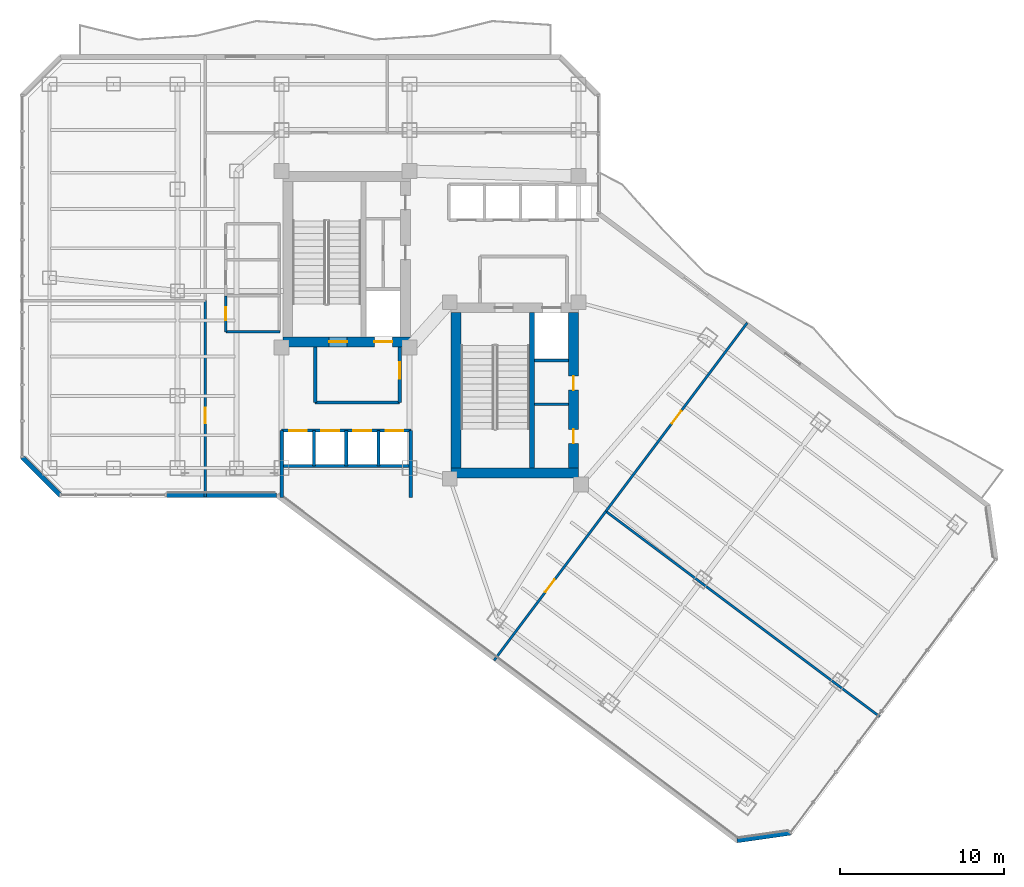
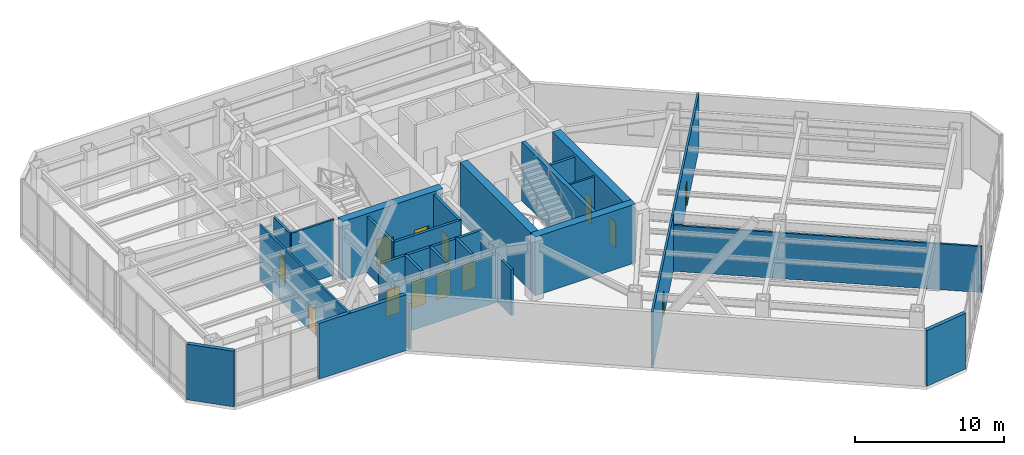
# One storey, part 20 of 27: 26 walls, 13 doors, 13 openings.
"""IFC4 building model written with IfcOpenShell, lengths in metres."""

from ifc_helpers import new_model, si_unit, direction, frame, frame_2d, origin, place, context, subcontext, project, spatial, rectangle, extrude, material, layer, layer_set, type_object, element, fill, save


model = new_model("IFC4")

# Units and contexts
model_context = context("Model", 3, precision=1e-05, world=origin(), true_north=direction((0.0, 1.0)))
body_context = subcontext(model_context, "Body", "Model", "MODEL_VIEW")
ifc_project = project(units=[si_unit("LENGTHUNIT", "METRE"), si_unit("AREAUNIT", "SQUARE_METRE"), si_unit("VOLUMEUNIT", "CUBIC_METRE"), si_unit("PLANEANGLEUNIT", "RADIAN"), si_unit("MASSUNIT", "GRAM", prefix="KILO")], contexts=[model_context])

# Site, building, storey
site_placement = place(None, origin())
site = spatial("IfcSite", under=ifc_project, at=site_placement, CompositionType="ELEMENT")
building_placement = place(site_placement, origin())
building = spatial("IfcBuilding", under=site, at=building_placement, Name="Hatsunagi Terrace Concourse", CompositionType="ELEMENT")
storey_placement = place(building_placement, frame((0.0, 0.0, 96.449951171875)))
storey = spatial("IfcBuildingStorey", under=building, at=storey_placement, Name="L25", CompositionType="ELEMENT", Elevation=96.449951171875)

# Wall, openings, doors
ifc_material_1 = material(Name="Concrete Fc48", Category="concrete")
ifc_layer_1 = layer(ifc_material_1, 0.60009765625)
ifc_layer_set_1 = layer_set([ifc_layer_1], Name="CoreShearWall_Fc48_600")
wall_type_1 = type_object("IfcWallType", Name="CoreShearWall_Fc48_600", PredefinedType="SHEAR", material=ifc_layer_set_1)
wall_1_placement = place(storey_placement, frame((25.6201171875, 32.889892578125, 0.0), z_axis=(0.0, 0.0, 1.0), x_axis=(1.0, 0.0, 0.0)))
wall_1 = element("IfcWall", 1, at=wall_1_placement, inside=storey, type_object=wall_type_1, Name="Core A Shear Wall S L25", PredefinedType="SHEAR", context=body_context, shape_type="SweptSolid", body=[
    extrude(rectangle(XDim=7.77978515625, YDim=0.60009765625, at=frame_2d((3.889892578125, 0.0))), origin(), (0.0, 0.0, 1.0), 4.800048828125),
])
opening_1_placement = place(wall_1_placement, frame((2.830078125, 0.0, 0.0)))
opening_1 = element("IfcOpeningElement", 2, at=opening_1_placement, cuts=wall_1, Name="Opening DR-110S", PredefinedType="OPENING", context=body_context, shape_type="SweptSolid", body=[
    extrude(rectangle(XDim=1.10009765625, YDim=2.199951171875, at=frame_2d((0.550048828125, 1.10009765625))), frame((0.0, 0.31005859375, 0.0), z_axis=(0.0, -1.0, 0.0), x_axis=(1.0, 0.0, 0.0)), (0.0, 0.0, 1.0), 0.6201171875),
])
opening_2_placement = place(wall_1_placement, frame((5.580078125, 0.0, 0.0)))
opening_2 = element("IfcOpeningElement", 3, at=opening_2_placement, cuts=wall_1, Name="Opening LD-01", PredefinedType="OPENING", context=body_context, shape_type="SweptSolid", body=[
    extrude(rectangle(XDim=1.10009765625, YDim=2.14990234375, at=frame_2d((0.550048828125, 1.074951171875))), frame((0.0, 0.31005859375, 0.0), z_axis=(0.0, -1.0, 0.0), x_axis=(1.0, 0.0, 0.0)), (0.0, 0.0, 1.0), 0.6201171875),
])
ifc_material_2 = material(Name="Stainless steel", Category="steel")
door_type_1 = type_object("IfcDoorType", Name="LiftLandingDoor_LD01", OperationType="SLIDING_TO_LEFT", PredefinedType="USERDEFINED", material=ifc_material_2)
door_1_placement = place(opening_2_placement, origin())
door_1 = element("IfcDoor", 4, at=door_1_placement, inside=storey, type_object=door_type_1, Name="Lift landing door FF-01 L25", ObjectType="SLIDING_LANDING_DOOR", OperationType="SLIDING_TO_LEFT", OverallHeight=2.14990234375, OverallWidth=1.10009765625, PredefinedType="USERDEFINED", context=body_context, shape_type="SweptSolid", body=[
    extrude(rectangle(XDim=1.10009765625, YDim=2.14990234375, at=frame_2d((0.550048828125, 1.074951171875))), frame((0.0, 0.02490234375, 0.0), z_axis=(0.0, -1.0, 0.0), x_axis=(1.0, 0.0, 0.0)), (0.0, 0.0, 1.0), 0.050048828125),
])
fill(opening_2, door_1)
ifc_material_3 = material(Name="Painted steel", Category="steel")
door_type_2 = type_object("IfcDoorType", Name="StairFireDoor_EI60_1100", OperationType="NOTDEFINED", PredefinedType="DOOR", material=ifc_material_3)
door_2_placement = place(opening_1_placement, origin())
door_2 = element("IfcDoor", 5, at=door_2_placement, inside=storey, type_object=door_type_2, Name="Stair ST-A Exit Door L25", OperationType="SINGLE_SWING_LEFT", OverallHeight=2.199951171875, OverallWidth=1.10009765625, PredefinedType="DOOR", context=body_context, shape_type="SweptSolid", body=[
    extrude(rectangle(XDim=1.10009765625, YDim=2.199951171875, at=frame_2d((0.550048828125, 1.10009765625))), frame((0.0, 0.02490234375, 0.0), z_axis=(0.0, -1.0, 0.0), x_axis=(1.0, 0.0, 0.0)), (0.0, 0.0, 1.0), 0.050048828125),
])
fill(opening_1, door_2)

# Walls
wall_2_placement = place(storey_placement, frame((35.889892578125, 24.889892578125, 0.0), z_axis=(0.0, 0.0, 1.0), x_axis=(1.0, 0.0, 0.0)))
element("IfcWall", 6, at=wall_2_placement, inside=storey, type_object=wall_type_1, Name="Core B Shear Wall S L25", PredefinedType="SHEAR", context=body_context, shape_type="SweptSolid", body=[
    extrude(rectangle(XDim=7.760009765625, YDim=0.60009765625, at=frame_2d((3.8798828125, 0.0))), origin(), (0.0, 0.0, 1.0), 4.800048828125),
])
wall_3_placement = place(storey_placement, frame((36.18994140625, 25.18994140625, 0.0), z_axis=(0.0, 0.0, 1.0), x_axis=(0.0, 1.0, 0.0)))
element("IfcWall", 7, at=wall_3_placement, inside=storey, type_object=wall_type_1, Name="Core B Shear Wall W L25", PredefinedType="SHEAR", context=body_context, shape_type="SweptSolid", body=[
    extrude(rectangle(XDim=9.47998046875, YDim=0.60009765625, at=frame_2d((4.739990234375, 0.0))), origin(), (0.0, 0.0, 1.0), 4.800048828125),
])

# Wall, openings, doors
wall_4_placement = place(storey_placement, frame((43.35009765625, 25.18994140625, 0.0), z_axis=(0.0, 0.0, 1.0), x_axis=(0.0, 1.0, 0.0)))
wall_4 = element("IfcWall", 8, at=wall_4_placement, inside=storey, type_object=wall_type_1, Name="Core B Shear Wall E L25", PredefinedType="SHEAR", context=body_context, shape_type="SweptSolid", body=[
    extrude(rectangle(XDim=9.47998046875, YDim=0.60009765625, at=frame_2d((4.739990234375, 0.0))), origin(), (0.0, 0.0, 1.0), 4.800048828125),
])
opening_3_placement = place(wall_4_placement, frame((1.510009765625, 0.0, 0.0)))
opening_3 = element("IfcOpeningElement", 9, at=opening_3_placement, cuts=wall_4, Name="Opening DR-085", PredefinedType="OPENING", context=body_context, shape_type="SweptSolid", body=[
    extrude(rectangle(XDim=0.85009765625, YDim=2.080078125, at=frame_2d((0.425048828125, 1.0400390625))), frame((0.0, 0.31005859375, 0.0), z_axis=(0.0, -1.0, 0.0), x_axis=(1.0, 0.0, 0.0)), (0.0, 0.0, 1.0), 0.6201171875),
])
opening_4_placement = place(wall_4_placement, frame((4.760009765625, 0.0, 0.0)))
opening_4 = element("IfcOpeningElement", 10, at=opening_4_placement, cuts=wall_4, Name="Opening DR-085", PredefinedType="OPENING", context=body_context, shape_type="SweptSolid", body=[
    extrude(rectangle(XDim=0.85009765625, YDim=2.080078125, at=frame_2d((0.425048828125, 1.0400390625))), frame((0.0, 0.31005859375, 0.0), z_axis=(0.0, -1.0, 0.0), x_axis=(1.0, 0.0, 0.0)), (0.0, 0.0, 1.0), 0.6201171875),
])
ifc_material_4 = material(Name="Painted steel", Category="steel")
door_type_3 = type_object("IfcDoorType", Name="RiserAccessDoor_EI60_850", OperationType="NOTDEFINED", PredefinedType="DOOR", material=ifc_material_4)
door_3_placement = place(opening_3_placement, origin())
door_3 = element("IfcDoor", 11, at=door_3_placement, inside=storey, type_object=door_type_3, Name="Core B Riser Door L25-1", OperationType="SINGLE_SWING_RIGHT", OverallHeight=2.080078125, OverallWidth=0.85009765625, PredefinedType="DOOR", context=body_context, shape_type="SweptSolid", body=[
    extrude(rectangle(XDim=0.85009765625, YDim=2.080078125, at=frame_2d((0.425048828125, 1.0400390625))), frame((0.0, 0.02490234375, 0.0), z_axis=(0.0, -1.0, 0.0), x_axis=(1.0, 0.0, 0.0)), (0.0, 0.0, 1.0), 0.050048828125),
])
fill(opening_3, door_3)
door_4_placement = place(opening_4_placement, origin())
door_4 = element("IfcDoor", 12, at=door_4_placement, inside=storey, type_object=door_type_3, Name="Core B Riser Door L25-2", OperationType="SINGLE_SWING_RIGHT", OverallHeight=2.080078125, OverallWidth=0.85009765625, PredefinedType="DOOR", context=body_context, shape_type="SweptSolid", body=[
    extrude(rectangle(XDim=0.85009765625, YDim=2.080078125, at=frame_2d((0.425048828125, 1.0400390625))), frame((0.0, 0.02490234375, 0.0), z_axis=(0.0, -1.0, 0.0), x_axis=(1.0, 0.0, 0.0)), (0.0, 0.0, 1.0), 0.050048828125),
])
fill(opening_4, door_4)

# Walls
ifc_material_5 = material(Name="Concrete Fc48", Category="concrete")
ifc_layer_2 = layer(ifc_material_5, 0.300048828125)
ifc_layer_set_2 = layer_set([ifc_layer_2], Name="CoreStairDivider_Fc48_300")
wall_type_2 = type_object("IfcWallType", Name="CoreStairDivider_Fc48_300", PredefinedType="SHEAR", material=ifc_layer_set_2)
wall_5_placement = place(storey_placement, frame((40.81005859375, 25.18994140625, 0.0), z_axis=(0.0, 0.0, 1.0), x_axis=(0.0, 1.0, 0.0)))
element("IfcWall", 13, at=wall_5_placement, inside=storey, type_object=wall_type_2, Name="Core B Shear Wall D L25", PredefinedType="SHEAR", context=body_context, shape_type="SweptSolid", body=[
    extrude(rectangle(XDim=9.47998046875, YDim=0.300048828125, at=frame_2d((4.739990234375, 0.0))), origin(), (0.0, 0.0, 1.0), 4.800048828125),
])
ifc_material_6 = material(Name="Acoustic mineral board", Category="gypsum")
ifc_layer_3 = layer(ifc_material_6, 0.14990234375)
ifc_layer_set_3 = layer_set([ifc_layer_3], Name="PartitionWall_EI60_150")
wall_type_3 = type_object("IfcWallType", Name="PartitionWall_EI60_150", PredefinedType="PARTITIONING", material=ifc_layer_set_3)
wall_6_placement = place(storey_placement, frame((40.969970703125, 29.10009765625, 0.0), z_axis=(0.0, 0.0, 1.0), x_axis=(1.0, 0.0, 0.0)))
element("IfcWall", 14, at=wall_6_placement, inside=storey, type_object=wall_type_3, Name="Interior Partition IW-L25-005", PredefinedType="PARTITIONING", context=body_context, shape_type="SweptSolid", body=[
    extrude(rectangle(XDim=2.080078125, YDim=0.14990234375, at=frame_2d((1.0400390625, 0.0))), origin(), (0.0, 0.0, 1.0), 4.550048828125),
])
wall_7_placement = place(storey_placement, frame((22.14990234375, 33.5, 0.0), z_axis=(0.0, 0.0, 1.0), x_axis=(1.0, 0.0, 0.0)))
element("IfcWall", 15, at=wall_7_placement, inside=storey, type_object=wall_type_3, Name="Interior Partition IW-L25-025", PredefinedType="PARTITIONING", context=body_context, shape_type="SweptSolid", body=[
    extrude(rectangle(XDim=3.300048828125, YDim=0.14990234375, at=frame_2d((1.64990234375, 0.0))), origin(), (0.0, 0.0, 1.0), 4.550048828125),
])

# Wall, opening, door
wall_8_placement = place(storey_placement, frame((22.14990234375, 33.5, 0.0), z_axis=(0.0, 0.0, 1.0), x_axis=(0.0, 1.0, 0.0)))
wall_8 = element("IfcWall", 16, at=wall_8_placement, inside=storey, type_object=wall_type_3, Name="Interior Partition IW-L25-030", PredefinedType="PARTITIONING", context=body_context, shape_type="SweptSolid", body=[
    extrude(rectangle(XDim=2.199951171875, YDim=0.14990234375, at=frame_2d((1.10009765625, 0.0))), origin(), (0.0, 0.0, 1.0), 4.550048828125),
])
opening_5_placement = place(wall_8_placement, frame((0.699951171875, 0.0, 0.0)))
opening_5 = element("IfcOpeningElement", 17, at=opening_5_placement, cuts=wall_8, Name="Opening DR-080", PredefinedType="OPENING", context=body_context, shape_type="SweptSolid", body=[
    extrude(rectangle(XDim=0.800048828125, YDim=2.06005859375, at=frame_2d((0.39990234375, 1.030029296875))), frame((0.0, 0.0849609375, 0.0), z_axis=(0.0, -1.0, 0.0), x_axis=(1.0, 0.0, 0.0)), (0.0, 0.0, 1.0), 0.169921875),
])
ifc_material_7 = material(Name="Hardwood timber", Category="wood")
door_type_4 = type_object("IfcDoorType", Name="BathroomDoor_800", OperationType="NOTDEFINED", PredefinedType="DOOR", material=ifc_material_7)
door_5_placement = place(opening_5_placement, origin())
door_5 = element("IfcDoor", 18, at=door_5_placement, inside=storey, type_object=door_type_4, Name="Accessible WC Door L25", OperationType="SINGLE_SWING_RIGHT", OverallHeight=2.06005859375, OverallWidth=0.800048828125, PredefinedType="DOOR", context=body_context, shape_type="SweptSolid", body=[
    extrude(rectangle(XDim=0.800048828125, YDim=2.06005859375, at=frame_2d((0.39990234375, 1.030029296875))), frame((0.0, 0.02490234375, 0.0), z_axis=(0.0, -1.0, 0.0), x_axis=(1.0, 0.0, 0.0)), (0.0, 0.0, 1.0), 0.050048828125),
])
fill(opening_5, door_5)

wall_9_placement = place(storey_placement, frame((20.89990234375, 23.43994140625, 0.0), z_axis=(0.0, 0.0, 1.0), x_axis=(0.0, 1.0, 0.0)))
wall_9 = element("IfcWall", 19, at=wall_9_placement, inside=storey, type_object=wall_type_3, Name="Interior Partition IW-L25-034", PredefinedType="PARTITIONING", context=body_context, shape_type="SweptSolid", body=[
    extrude(rectangle(XDim=11.9599609375, YDim=0.14990234375, at=frame_2d((5.97998046875, 0.0))), origin(), (0.0, 0.0, 1.0), 4.550048828125),
])
opening_6_placement = place(wall_9_placement, frame((4.47998046875, 0.0, 0.0)))
opening_6 = element("IfcOpeningElement", 20, at=opening_6_placement, cuts=wall_9, Name="Opening DR-095", PredefinedType="OPENING", context=body_context, shape_type="SweptSolid", body=[
    extrude(rectangle(XDim=0.949951171875, YDim=2.14990234375, at=frame_2d((0.47509765625, 1.074951171875))), frame((0.0, 0.0849609375, 0.0), z_axis=(0.0, -1.0, 0.0), x_axis=(1.0, 0.0, 0.0)), (0.0, 0.0, 1.0), 0.169921875),
])
ifc_material_8 = material(Name="Hardwood timber", Category="wood")
door_type_5 = type_object("IfcDoorType", Name="InteriorSuiteDoor_EI30_950", OperationType="NOTDEFINED", PredefinedType="DOOR", material=ifc_material_8)
door_6_placement = place(opening_6_placement, origin())
door_6 = element("IfcDoor", 21, at=door_6_placement, inside=storey, type_object=door_type_5, Name="Open Plan Office L25-OW1 Door", OperationType="SINGLE_SWING_RIGHT", OverallHeight=2.14990234375, OverallWidth=0.949951171875, PredefinedType="DOOR", context=body_context, shape_type="SweptSolid", body=[
    extrude(rectangle(XDim=0.949951171875, YDim=2.14990234375, at=frame_2d((0.47509765625, 1.074951171875))), frame((0.0, 0.02490234375, 0.0), z_axis=(0.0, -1.0, 0.0), x_axis=(1.0, 0.0, 0.0)), (0.0, 0.0, 1.0), 0.050048828125),
])
fill(opening_6, door_6)

# Wall
wall_10_placement = place(storey_placement, frame((45.320068359375, 22.56005859375, 0.0), z_axis=(0.0, 0.0, 1.0), x_axis=(0.799997191095, -0.600003745189, 0.0)))
element("IfcWall", 22, at=wall_10_placement, inside=storey, type_object=wall_type_3, Name="Interior Partition IW-L25-039", PredefinedType="PARTITIONING", context=body_context, shape_type="SweptSolid", body=[
    extrude(rectangle(XDim=20.860107421875, YDim=0.14990234375, at=frame_2d((10.43017578125, 0.0))), origin(), (0.0, 0.0, 1.0), 3.7451171875),
])

# Wall, opening, door
wall_11_placement = place(storey_placement, frame((38.50390625, 13.471923828125, 0.0), z_axis=(0.0, 0.0, 1.0), x_axis=(0.600003438533, 0.799997421089, 0.0)))
wall_11 = element("IfcWall", 23, at=wall_11_placement, inside=storey, type_object=wall_type_3, Name="Interior Partition IW-L25-040", PredefinedType="PARTITIONING", context=body_context, shape_type="SweptSolid", body=[
    extrude(rectangle(XDim=11.360107421875, YDim=0.14990234375, at=frame_2d((5.68017578125, 0.0))), origin(), (0.0, 0.0, 1.0), 4.550048828125),
])
opening_7_placement = place(wall_11_placement, frame((5.205078125, 0.0, 0.0)))
opening_7 = element("IfcOpeningElement", 24, at=opening_7_placement, cuts=wall_11, Name="Opening DR-095", PredefinedType="OPENING", context=body_context, shape_type="SweptSolid", body=[
    extrude(rectangle(XDim=0.949951171875, YDim=2.14990234375, at=frame_2d((0.47509765625, 1.074951171875))), frame((0.0, 0.0849609375, 0.0), z_axis=(0.0, -1.0, 0.0), x_axis=(1.0, 0.0, 0.0)), (0.0, 0.0, 1.0), 0.169921875),
])
door_7_placement = place(opening_7_placement, origin())
door_7 = element("IfcDoor", 25, at=door_7_placement, inside=storey, type_object=door_type_5, Name="Design Studio L25-OSE1 Door", OperationType="SINGLE_SWING_RIGHT", OverallHeight=2.14990234375, OverallWidth=0.949951171875, PredefinedType="DOOR", context=body_context, shape_type="SweptSolid", body=[
    extrude(rectangle(XDim=0.949951171875, YDim=2.14990234375, at=frame_2d((0.47509765625, 1.074951171875))), frame((0.0, 0.02490234375, 0.0), z_axis=(0.0, -1.0, 0.0), x_axis=(1.0, 0.0, 0.0)), (0.0, 0.0, 1.0), 0.050048828125),
])
fill(opening_7, door_7)

wall_12_placement = place(storey_placement, frame((45.320068359375, 22.56005859375, 0.0), z_axis=(0.0, 0.0, 1.0), x_axis=(0.599997279769, 0.800002040166, 0.0)))
wall_12 = element("IfcWall", 26, at=wall_12_placement, inside=storey, type_object=wall_type_3, Name="Interior Partition IW-L25-041", PredefinedType="PARTITIONING", context=body_context, shape_type="SweptSolid", body=[
    extrude(rectangle(XDim=14.360107421875, YDim=0.14990234375, at=frame_2d((7.18017578125, 0.0))), origin(), (0.0, 0.0, 1.0), 4.550048828125),
])
opening_8_placement = place(wall_12_placement, frame((6.705078125, 0.0, 0.0)))
opening_8 = element("IfcOpeningElement", 27, at=opening_8_placement, cuts=wall_12, Name="Opening DR-095", PredefinedType="OPENING", context=body_context, shape_type="SweptSolid", body=[
    extrude(rectangle(XDim=0.949951171875, YDim=2.14990234375, at=frame_2d((0.47509765625, 1.074951171875))), frame((0.0, 0.0849609375, 0.0), z_axis=(0.0, -1.0, 0.0), x_axis=(1.0, 0.0, 0.0)), (0.0, 0.0, 1.0), 0.169921875),
])
door_8_placement = place(opening_8_placement, origin())
door_8 = element("IfcDoor", 28, at=door_8_placement, inside=storey, type_object=door_type_5, Name="Research Focus Suite L25-OSE2 Door", OperationType="SINGLE_SWING_RIGHT", OverallHeight=2.14990234375, OverallWidth=0.949951171875, PredefinedType="DOOR", context=body_context, shape_type="SweptSolid", body=[
    extrude(rectangle(XDim=0.949951171875, YDim=2.14990234375, at=frame_2d((0.47509765625, 1.074951171875))), frame((0.0, 0.02490234375, 0.0), z_axis=(0.0, -1.0, 0.0), x_axis=(1.0, 0.0, 0.0)), (0.0, 0.0, 1.0), 0.050048828125),
])
fill(opening_8, door_8)

# Walls
ifc_material_9 = material(Name="Acoustic mineral board", Category="gypsum")
ifc_layer_4 = layer(ifc_material_9, 0.199951171875)
ifc_layer_set_4 = layer_set([ifc_layer_4], Name="ShaftWall_EI120_200")
wall_type_4 = type_object("IfcWallType", Name="ShaftWall_EI120_200", PredefinedType="STANDARD", material=ifc_layer_set_4)
wall_13_placement = place(storey_placement, frame((40.969970703125, 31.760009765625, 0.0), z_axis=(0.0, 0.0, 1.0), x_axis=(1.0, 0.0, 0.0)))
element("IfcWall", 29, at=wall_13_placement, inside=storey, type_object=wall_type_4, Name="Interior Partition IW-L25-004", PredefinedType="STANDARD", context=body_context, shape_type="SweptSolid", body=[
    extrude(rectangle(XDim=2.080078125, YDim=0.199951171875, at=frame_2d((1.0400390625, 0.0))), origin(), (0.0, 0.0, 1.0), 4.550048828125),
])
wall_14_placement = place(storey_placement, frame((27.60009765625, 29.199951171875, 0.0), z_axis=(0.0, 0.0, 1.0), x_axis=(1.0, 0.0, 0.0)))
element("IfcWall", 30, at=wall_14_placement, inside=storey, type_object=wall_type_4, Name="Interior Partition IW-L25-006", PredefinedType="STANDARD", context=body_context, shape_type="SweptSolid", body=[
    extrude(rectangle(XDim=5.14990234375, YDim=0.199951171875, at=frame_2d((2.574951171875, 0.0))), origin(), (0.0, 0.0, 1.0), 4.550048828125),
])
wall_15_placement = place(storey_placement, frame((27.60009765625, 29.199951171875, 0.0), z_axis=(0.0, 0.0, 1.0), x_axis=(0.0, 1.0, 0.0)))
element("IfcWall", 31, at=wall_15_placement, inside=storey, type_object=wall_type_4, Name="Interior Partition IW-L25-007", PredefinedType="STANDARD", context=body_context, shape_type="SweptSolid", body=[
    extrude(rectangle(XDim=3.39013671875, YDim=0.199951171875, at=frame_2d((1.695068359375, 0.0))), origin(), (0.0, 0.0, 1.0), 4.550048828125),
])

# Wall, opening, door
wall_16_placement = place(storey_placement, frame((32.75, 29.199951171875, 0.0), z_axis=(0.0, 0.0, 1.0), x_axis=(0.0, 1.0, 0.0)))
wall_16 = element("IfcWall", 32, at=wall_16_placement, inside=storey, type_object=wall_type_4, Name="Interior Partition IW-L25-008", PredefinedType="STANDARD", context=body_context, shape_type="SweptSolid", body=[
    extrude(rectangle(XDim=3.39013671875, YDim=0.199951171875, at=frame_2d((1.695068359375, 0.0))), origin(), (0.0, 0.0, 1.0), 4.550048828125),
])
opening_9_placement = place(wall_16_placement, frame((1.449951171875, 0.0, 0.0)))
opening_9 = element("IfcOpeningElement", 33, at=opening_9_placement, cuts=wall_16, Name="Opening DR-100F", PredefinedType="OPENING", context=body_context, shape_type="SweptSolid", body=[
    extrude(rectangle(XDim=1.0, YDim=2.199951171875, at=frame_2d((0.5, 1.10009765625))), frame((0.0, 0.10986328125, 0.0), z_axis=(0.0, -1.0, 0.0), x_axis=(1.0, 0.0, 0.0)), (0.0, 0.0, 1.0), 0.219970703125),
])
ifc_material_10 = material(Name="Painted steel", Category="steel")
door_type_6 = type_object("IfcDoorType", Name="FireDoor_EI60_1000", OperationType="NOTDEFINED", PredefinedType="DOOR", material=ifc_material_10)
door_9_placement = place(opening_9_placement, origin())
door_9 = element("IfcDoor", 34, at=door_9_placement, inside=storey, type_object=door_type_6, Name="Firefighting Lobby A Door L25", OperationType="SINGLE_SWING_RIGHT", OverallHeight=2.199951171875, OverallWidth=1.0, PredefinedType="DOOR", context=body_context, shape_type="SweptSolid", body=[
    extrude(rectangle(XDim=1.0, YDim=2.199951171875, at=frame_2d((0.5, 1.10009765625))), frame((0.0, 0.02490234375, 0.0), z_axis=(0.0, -1.0, 0.0), x_axis=(1.0, 0.0, 0.0)), (0.0, 0.0, 1.0), 0.050048828125),
])
fill(opening_9, door_9)

# Walls
for number, where, z_axis, x_axis, name in (
    (35, (25.550048828125, 23.39990234375, 0.0), (0.0, 0.0, 1.0), (0.0, 1.0, 0.0), "Interior Partition IW-L25-012"),
    (36, (33.429931640625, 23.39990234375, 0.0), (0.0, 0.0, 1.0), (0.0, 1.0, 0.0), "Interior Partition IW-L25-013"),
):
    element("IfcWall", number, at=place(storey_placement, frame(where, z_axis=z_axis, x_axis=x_axis)), inside=storey, type_object=wall_type_4, Name=name, PredefinedType="STANDARD", context=body_context, shape_type="SweptSolid", body=[
        extrude(rectangle(XDim=4.080078125, YDim=0.199951171875, at=frame_2d((2.0400390625, 0.0))), origin(), (0.0, 0.0, 1.0), 3.7451171875),
    ])
wall_17_placement = place(storey_placement, frame((25.550048828125, 25.320068359375, 0.0), z_axis=(0.0, 0.0, 1.0), x_axis=(1.0, 0.0, 0.0)))
element("IfcWall", 37, at=wall_17_placement, inside=storey, type_object=wall_type_4, Name="Interior Partition IW-L25-014", PredefinedType="STANDARD", context=body_context, shape_type="SweptSolid", body=[
    extrude(rectangle(XDim=7.8798828125, YDim=0.199951171875, at=frame_2d((3.93994140625, 0.0))), origin(), (0.0, 0.0, 1.0), 3.945068359375),
])
for number, where, z_axis, x_axis, name in (
    (38, (27.530029296875, 25.320068359375, 0.0), (0.0, 0.0, 1.0), (0.0, 1.0, 0.0), "Interior Partition IW-L25-015"),
    (39, (29.489990234375, 25.320068359375, 0.0), (0.0, 0.0, 1.0), (0.0, 1.0, 0.0), "Interior Partition IW-L25-016"),
    (40, (31.449951171875, 25.320068359375, 0.0), (0.0, 0.0, 1.0), (0.0, 1.0, 0.0), "Interior Partition IW-L25-017"),
):
    element("IfcWall", number, at=place(storey_placement, frame(where, z_axis=z_axis, x_axis=x_axis)), inside=storey, type_object=wall_type_4, Name=name, PredefinedType="STANDARD", context=body_context, shape_type="SweptSolid", body=[
        extrude(rectangle(XDim=2.159912109375, YDim=0.199951171875, at=frame_2d((1.080078125, 0.0))), origin(), (0.0, 0.0, 1.0), 4.550048828125),
    ])

# Wall, openings, doors
wall_18_placement = place(storey_placement, frame((25.550048828125, 27.47998046875, 0.0), z_axis=(0.0, 0.0, 1.0), x_axis=(1.0, 0.0, 0.0)))
wall_18 = element("IfcWall", 41, at=wall_18_placement, inside=storey, type_object=wall_type_4, Name="Interior Partition IW-L25-018", PredefinedType="STANDARD", context=body_context, shape_type="SweptSolid", body=[
    extrude(rectangle(XDim=7.8798828125, YDim=0.199951171875, at=frame_2d((3.93994140625, 0.0))), origin(), (0.0, 0.0, 1.0), 4.550048828125),
])
opening_10_placement = place(wall_18_placement, frame((0.4599609375, 0.0, 0.0)))
opening_10 = element("IfcOpeningElement", 42, at=opening_10_placement, cuts=wall_18, Name="Opening LD-03", PredefinedType="OPENING", context=body_context, shape_type="SweptSolid", body=[
    extrude(rectangle(XDim=1.080078125, YDim=2.14990234375, at=frame_2d((0.5400390625, 1.074951171875))), frame((0.0, 0.10986328125, 0.0), z_axis=(0.0, -1.0, 0.0), x_axis=(1.0, 0.0, 0.0)), (0.0, 0.0, 1.0), 0.219970703125),
])
opening_11_placement = place(wall_18_placement, frame((2.419921875, 0.0, 0.0)))
opening_11 = element("IfcOpeningElement", 43, at=opening_11_placement, cuts=wall_18, Name="Opening LD-03", PredefinedType="OPENING", context=body_context, shape_type="SweptSolid", body=[
    extrude(rectangle(XDim=1.080078125, YDim=2.14990234375, at=frame_2d((0.5400390625, 1.074951171875))), frame((0.0, 0.10986328125, 0.0), z_axis=(0.0, -1.0, 0.0), x_axis=(1.0, 0.0, 0.0)), (0.0, 0.0, 1.0), 0.219970703125),
])
opening_12_placement = place(wall_18_placement, frame((4.3798828125, 0.0, 0.0)))
opening_12 = element("IfcOpeningElement", 44, at=opening_12_placement, cuts=wall_18, Name="Opening LD-03", PredefinedType="OPENING", context=body_context, shape_type="SweptSolid", body=[
    extrude(rectangle(XDim=1.080078125, YDim=2.14990234375, at=frame_2d((0.5400390625, 1.074951171875))), frame((0.0, 0.10986328125, 0.0), z_axis=(0.0, -1.0, 0.0), x_axis=(1.0, 0.0, 0.0)), (0.0, 0.0, 1.0), 0.219970703125),
])
opening_13_placement = place(wall_18_placement, frame((6.340087890625, 0.0, 0.0)))
opening_13 = element("IfcOpeningElement", 45, at=opening_13_placement, cuts=wall_18, Name="Opening LD-03", PredefinedType="OPENING", context=body_context, shape_type="SweptSolid", body=[
    extrude(rectangle(XDim=1.080078125, YDim=2.14990234375, at=frame_2d((0.5400390625, 1.074951171875))), frame((0.0, 0.10986328125, 0.0), z_axis=(0.0, -1.0, 0.0), x_axis=(1.0, 0.0, 0.0)), (0.0, 0.0, 1.0), 0.219970703125),
])
ifc_material_11 = material(Name="Stainless steel", Category="steel")
door_type_7 = type_object("IfcDoorType", Name="LiftLandingDoor_LD03", OperationType="SLIDING_TO_LEFT", PredefinedType="USERDEFINED", material=ifc_material_11)
door_10_placement = place(opening_10_placement, origin())
door_10 = element("IfcDoor", 46, at=door_10_placement, inside=storey, type_object=door_type_7, Name="Lift landing door PL-01 L25", ObjectType="SLIDING_LANDING_DOOR", OperationType="SLIDING_TO_LEFT", OverallHeight=2.14990234375, OverallWidth=1.080078125, PredefinedType="USERDEFINED", context=body_context, shape_type="SweptSolid", body=[
    extrude(rectangle(XDim=1.080078125, YDim=2.14990234375, at=frame_2d((0.5400390625, 1.074951171875))), frame((0.0, 0.02490234375, 0.0), z_axis=(0.0, -1.0, 0.0), x_axis=(1.0, 0.0, 0.0)), (0.0, 0.0, 1.0), 0.050048828125),
])
fill(opening_10, door_10)
door_11_placement = place(opening_11_placement, origin())
door_11 = element("IfcDoor", 47, at=door_11_placement, inside=storey, type_object=door_type_7, Name="Lift landing door PL-02 L25", ObjectType="SLIDING_LANDING_DOOR", OperationType="SLIDING_TO_LEFT", OverallHeight=2.14990234375, OverallWidth=1.080078125, PredefinedType="USERDEFINED", context=body_context, shape_type="SweptSolid", body=[
    extrude(rectangle(XDim=1.080078125, YDim=2.14990234375, at=frame_2d((0.5400390625, 1.074951171875))), frame((0.0, 0.02490234375, 0.0), z_axis=(0.0, -1.0, 0.0), x_axis=(1.0, 0.0, 0.0)), (0.0, 0.0, 1.0), 0.050048828125),
])
fill(opening_11, door_11)
door_12_placement = place(opening_12_placement, origin())
door_12 = element("IfcDoor", 48, at=door_12_placement, inside=storey, type_object=door_type_7, Name="Lift landing door PL-03 L25", ObjectType="SLIDING_LANDING_DOOR", OperationType="SLIDING_TO_LEFT", OverallHeight=2.14990234375, OverallWidth=1.080078125, PredefinedType="USERDEFINED", context=body_context, shape_type="SweptSolid", body=[
    extrude(rectangle(XDim=1.080078125, YDim=2.14990234375, at=frame_2d((0.5400390625, 1.074951171875))), frame((0.0, 0.02490234375, 0.0), z_axis=(0.0, -1.0, 0.0), x_axis=(1.0, 0.0, 0.0)), (0.0, 0.0, 1.0), 0.050048828125),
])
fill(opening_12, door_12)
door_13_placement = place(opening_13_placement, origin())
door_13 = element("IfcDoor", 49, at=door_13_placement, inside=storey, type_object=door_type_7, Name="Lift landing door PL-04 L25", ObjectType="SLIDING_LANDING_DOOR", OperationType="SLIDING_TO_LEFT", OverallHeight=2.14990234375, OverallWidth=1.080078125, PredefinedType="USERDEFINED", context=body_context, shape_type="SweptSolid", body=[
    extrude(rectangle(XDim=1.080078125, YDim=2.14990234375, at=frame_2d((0.5400390625, 1.074951171875))), frame((0.0, 0.02490234375, 0.0), z_axis=(0.0, -1.0, 0.0), x_axis=(1.0, 0.0, 0.0)), (0.0, 0.0, 1.0), 0.050048828125),
])
fill(opening_13, door_13)

# Walls
ifc_material_12 = material(Name="Autoclaved Lightweight Concrete and Terracotta Cladding", Category="masonry")
ifc_layer_5 = layer(ifc_material_12, 0.280029296875)
ifc_layer_set_5 = layer_set([ifc_layer_5], Name="TerracottaSpandrelWall_280")
wall_type_5 = type_object("IfcWallType", Name="TerracottaSpandrelWall_280", PredefinedType="STANDARD", material=ifc_layer_set_5)
wall_19_placement = place(storey_placement, frame((56.56298828125, 2.949951171875, 0.0), z_axis=(0.0, 0.0, 1.0), x_axis=(-0.989977778067, -0.141223223777, 0.0)))
element("IfcWall", 50, at=wall_19_placement, inside=storey, type_object=wall_type_5, Name="Exterior Spandrel Wall EW-L25-04", PredefinedType="STANDARD", context=body_context, shape_type="SweptSolid", body=[
    extrude(rectangle(XDim=3.27783203125, YDim=0.280029296875, at=frame_2d((1.638916015625, 0.0))), origin(), (0.0, 0.0, 1.0), 4.550048828125),
])
wall_20_placement = place(storey_placement, frame((25.2470703125, 23.5400390625, 0.0), z_axis=(0.0, 0.0, 1.0), x_axis=(-1.0, 0.0, 0.0)))
element("IfcWall", 51, at=wall_20_placement, inside=storey, type_object=wall_type_5, Name="Exterior Spandrel Wall EW-L25-06", PredefinedType="STANDARD", context=body_context, shape_type="SweptSolid", body=[
    extrude(rectangle(XDim=6.7470703125, YDim=0.280029296875, at=frame_2d((3.37353515625, 0.0))), origin(), (0.0, 0.0, 1.0), 4.550048828125),
])
wall_21_placement = place(storey_placement, frame((12.05810546875, 23.5400390625, 0.0), z_axis=(0.0, 0.0, 1.0), x_axis=(-0.707144017911, 0.707069542501, 0.0)))
element("IfcWall", 52, at=wall_21_placement, inside=storey, type_object=wall_type_5, Name="Exterior Spandrel Wall EW-L25-08", PredefinedType="STANDARD", context=body_context, shape_type="SweptSolid", body=[
    extrude(rectangle(XDim=3.278076171875, YDim=0.280029296875, at=frame_2d((1.63916015625, 0.0))), origin(), (0.0, 0.0, 1.0), 4.550048828125),
])

save(model, "model.ifc")
